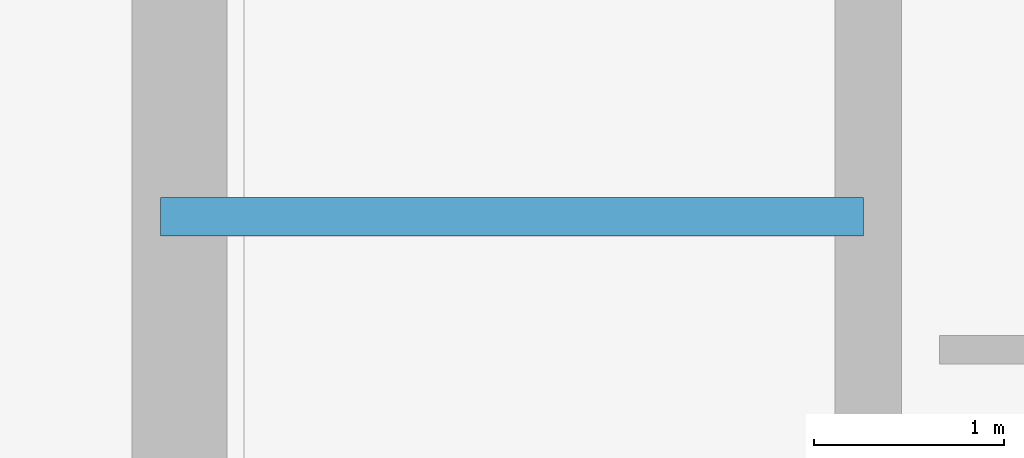
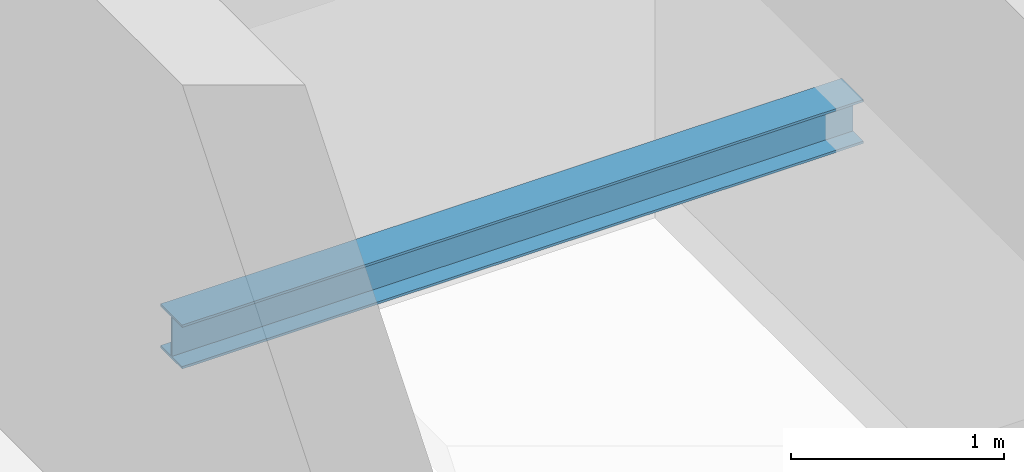
# One storey, part 14 of 31: 1 beam.
"""IFC4 building model written with IfcOpenShell, lengths in metres."""

from ifc_helpers import new_model, si_unit, direction, frame, origin, origin_2d, place, context, subcontext, project, spatial, i_section, extrude, material, material_profile, profile_set, type_object, element, save


model = new_model("IFC4")

# Units and contexts
model_context = context("Model", 3, precision=1e-05, world=origin(), true_north=direction((0.0, 1.0)))
body_context = subcontext(model_context, "Body", "Model", "MODEL_VIEW")
ifc_project = project(units=[si_unit("LENGTHUNIT", "METRE"), si_unit("AREAUNIT", "SQUARE_METRE"), si_unit("VOLUMEUNIT", "CUBIC_METRE"), si_unit("PLANEANGLEUNIT", "RADIAN"), si_unit("MASSUNIT", "GRAM", prefix="KILO")], contexts=[model_context])

# Site, building, storey
site_placement = place(None, origin())
site = spatial("IfcSite", under=ifc_project, at=site_placement, CompositionType="ELEMENT")
building_placement = place(site_placement, origin())
building = spatial("IfcBuilding", under=site, at=building_placement, Name="Veraguas Prism Commons", CompositionType="ELEMENT")
storey_placement = place(building_placement, frame((0.0, 0.0, 204.85009765625)))
storey = spatial("IfcBuildingStorey", under=building, at=storey_placement, Name="L58", CompositionType="ELEMENT", Elevation=204.85009765625)

# Beam
ifc_material = material(Name="Steel ASTM A992 Grade 50", Category="steel")
ifc_material_profile = material_profile(ifc_material, i_section(OverallWidth=0.202880859375, OverallDepth=0.251953125, WebThickness=0.008056640625, FlangeThickness=0.013427734375, at=origin_2d()), Name="W250X58")
ifc_profile_set = profile_set([ifc_material_profile], Name="Steel ASTM A992 Grade 50")
beam_type = type_object("IfcBeamType", Name="Structural Opening Lintel W250x58", PredefinedType="LINTEL", material=ifc_profile_set)
beam_placement = place(storey_placement, frame((17.25, 26.800048828125, 1.298828125), z_axis=(1.0, 0.0, 0.0), x_axis=(0.0, 1.0, 0.0)))
element("IfcBeam", 1, at=beam_placement, inside=storey, type_object=beam_type, Name="Stair ST-01 Half-Landing Support Beam L58-1", PredefinedType="LINTEL", context=body_context, shape_type="SweptSolid", body=[
    extrude(i_section(OverallWidth=0.202880859375, OverallDepth=0.251953125, WebThickness=0.008056640625, FlangeThickness=0.013427734375, at=origin_2d()), origin(), (0.0, 0.0, 1.0), 3.699951171875),
])

save(model, "model.ifc")
